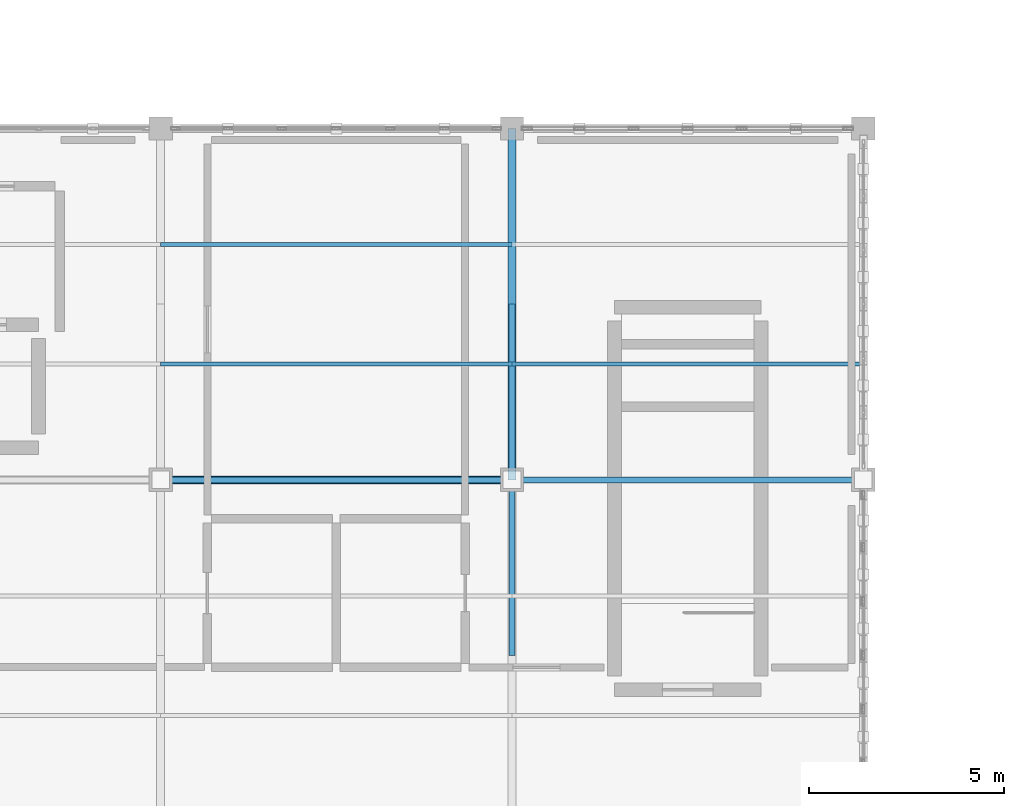
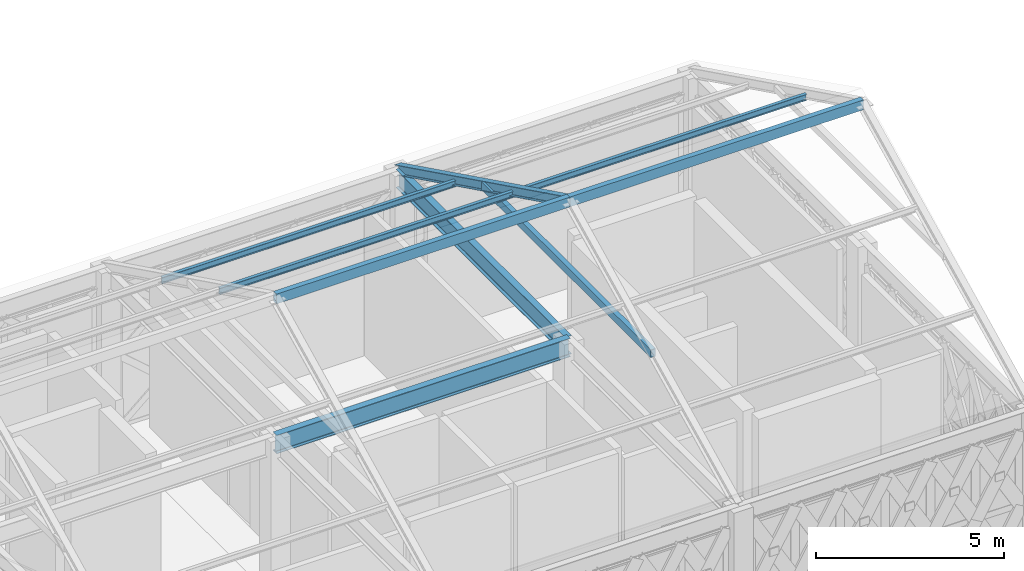
# One storey, part 16 of 32: 7 members, 2 beams.
"""IFC4 building model written with IfcOpenShell, lengths in metres."""

from ifc_helpers import new_model, si_unit, direction, frame, origin, origin_2d, place, context, subcontext, project, spatial, hollow_rectangle, i_section, extrude, material, material_profile, profile_set, type_object, element, save


model = new_model("IFC4")

# Units and contexts
model_context = context("Model", 3, precision=1e-05, world=origin(), true_north=direction((0.0, 1.0)))
body_context = subcontext(model_context, "Body", "Model", "MODEL_VIEW")
ifc_project = project(units=[si_unit("LENGTHUNIT", "METRE"), si_unit("AREAUNIT", "SQUARE_METRE"), si_unit("VOLUMEUNIT", "CUBIC_METRE"), si_unit("PLANEANGLEUNIT", "RADIAN"), si_unit("MASSUNIT", "GRAM", prefix="KILO")], contexts=[model_context])

# Site, building, storey
site_placement = place(None, origin())
site = spatial("IfcSite", under=ifc_project, at=site_placement, CompositionType="ELEMENT")
building_placement = place(site_placement, origin())
building = spatial("IfcBuilding", under=site, at=building_placement, Name="Haizhuo Lancet Aquarium", CompositionType="ELEMENT")
storey_placement = place(building_placement, frame((0.0, 0.0, 27.0)))
storey = spatial("IfcBuildingStorey", under=building, at=storey_placement, Name="L05", CompositionType="ELEMENT", Elevation=27.0)

# Beams
ifc_material = material(Name="Steel S355", Category="steel")
ifc_material_profile_1 = material_profile(ifc_material, i_section(OverallWidth=0.199951171875, OverallDepth=0.60009765625, WebThickness=0.010986328125, FlangeThickness=0.01708984375, FilletRadius=0.02197265625, at=origin_2d()), Name="HN 600x200x11x17")
ifc_profile_set_1 = profile_set([ifc_material_profile_1], Name="Steel S355")
beam_type = type_object("IfcBeamType", Name="BM-ST-HN600", PredefinedType="BEAM", material=ifc_profile_set_1)
for number, where, z_axis, x_axis, name in (
    (1, (-54.0, -18.0, 5.10009765625), (1.0, 0.0, 0.0), (0.0, 1.0, 0.0), "L05 V6 primary girder BM-L05-V6-017"),
    (2, (-45.0, -18.0, 5.10009765625), (0.0, 1.0, 0.0), (-1.0, 0.0, 0.0), "L05 V6 primary girder BM-L05-V6-021"),
):
    element("IfcBeam", number, at=place(storey_placement, frame(where, z_axis=z_axis, x_axis=x_axis)), inside=storey, type_object=beam_type, Name=name, PredefinedType="BEAM", context=body_context, shape_type="SweptSolid", body=[
        extrude(i_section(OverallWidth=0.199951171875, OverallDepth=0.60009765625, WebThickness=0.010986328125, FlangeThickness=0.01708984375, FilletRadius=0.02197265625, at=origin_2d()), origin(), (0.0, 0.0, 1.0), 9.0),
    ])

# Members
ifc_material_profile_2 = material_profile(ifc_material, hollow_rectangle(XDim=0.159912109375, YDim=0.320068359375, WallThickness=0.010009765625, at=origin_2d()), Name="RHS 160x320x10")
ifc_profile_set_2 = profile_set([ifc_material_profile_2], Name="Steel S355")
member_type_1 = type_object("IfcMemberType", Name="MEM-CH-RHS160x320", PredefinedType="CHORD", material=ifc_profile_set_2)
for number, where, z_axis, x_axis, name in (
    (3, (-54.0, -18.0, 9.804931640625), (1.0, 0.0, 0.0), (0.0, 1.0, 0.0), "V6 roof ridge chord 3"),
    (4, (-45.0, -18.0, 9.804931640625), (1.0, 0.0, 0.0), (0.0, 1.0, 0.0), "V6 roof ridge chord 4"),
):
    element("IfcMember", number, at=place(storey_placement, frame(where, z_axis=z_axis, x_axis=x_axis)), inside=storey, type_object=member_type_1, Name=name, PredefinedType="CHORD", context=body_context, shape_type="SweptSolid", body=[
        extrude(hollow_rectangle(XDim=0.159912109375, YDim=0.320068359375, WallThickness=0.010009765625, at=origin_2d()), origin(), (0.0, 0.0, 1.0), 9.0),
    ])
ifc_material_profile_3 = material_profile(ifc_material, hollow_rectangle(XDim=0.14990234375, YDim=0.25, WallThickness=0.010009765625, at=origin_2d()), Name="RHS 150x250x10")
ifc_profile_set_3 = profile_set([ifc_material_profile_3], Name="Steel S355")
member_type_2 = type_object("IfcMemberType", Name="MEM-CL-RHS150x250", PredefinedType="COLLAR", material=ifc_profile_set_3)
member_1_placement = place(storey_placement, frame((-45.0, -22.5, 7.5869140625), z_axis=(0.0, 1.0, 0.0), x_axis=(-1.0, 0.0, 0.0)))
element("IfcMember", 5, at=member_1_placement, inside=storey, type_object=member_type_2, Name="V6 Gothic roof collar tie 4", PredefinedType="COLLAR", context=body_context, shape_type="SweptSolid", body=[
    extrude(hollow_rectangle(XDim=0.14990234375, YDim=0.25, WallThickness=0.010009765625, at=origin_2d()), origin(), (0.0, 0.0, 1.0), 9.0),
])
ifc_material_profile_4 = material_profile(ifc_material, i_section(OverallWidth=0.10009765625, OverallDepth=0.199951171875, WebThickness=0.005615234375, FlangeThickness=0.008056640625, FilletRadius=0.008056640625, at=origin_2d()), Name="HN 200x100x5.5x8")
ifc_profile_set_4 = profile_set([ifc_material_profile_4], Name="Steel S355")
member_type_3 = type_object("IfcMemberType", Name="MEM-PR-HN200", PredefinedType="PURLIN", material=ifc_profile_set_4)
for number, where, z_axis, x_axis, name in (
    (6, (-54.0, -11.969970703125, 6.72412109375), (1.0, 0.0, 0.0), (0.0, 1.0, 0.0), "V6 north roof purlin 3"),
    (7, (-54.0, -15.030029296875, 8.23095703125), (1.0, 0.0, 0.0), (0.0, 1.0, 0.0), "V6 north roof purlin 3"),
    (8, (-45.0, -15.030029296875, 8.23095703125), (1.0, 0.0, 0.0), (0.0, 1.0, 0.0), "V6 north roof purlin 4"),
):
    element("IfcMember", number, at=place(storey_placement, frame(where, z_axis=z_axis, x_axis=x_axis)), inside=storey, type_object=member_type_3, Name=name, PredefinedType="PURLIN", context=body_context, shape_type="SweptSolid", body=[
        extrude(i_section(OverallWidth=0.10009765625, OverallDepth=0.199951171875, WebThickness=0.005615234375, FlangeThickness=0.008056640625, FilletRadius=0.008056640625, at=origin_2d()), origin(), (0.0, 0.0, 1.0), 9.0),
    ])
ifc_material_profile_5 = material_profile(ifc_material, i_section(OverallWidth=0.199951171875, OverallDepth=0.2939453125, WebThickness=0.008056640625, FlangeThickness=0.011962890625, FilletRadius=0.01611328125, at=origin_2d()), Name="HM 294x200x8x12")
ifc_profile_set_5 = profile_set([ifc_material_profile_5], Name="Steel S355")
member_type_4 = type_object("IfcMemberType", Name="MEM-RF-HM294", PredefinedType="RAFTER", material=ifc_profile_set_5)
member_2_placement = place(storey_placement, frame((-45.0, -9.0, 5.3701171875), z_axis=(0.0, -0.897010851352, 0.44200852091), x_axis=(1.0, 0.0, 0.0)))
element("IfcMember", 9, at=member_2_placement, inside=storey, type_object=member_type_4, Name="V6 Gothic pitched roof north rafter 4", PredefinedType="RAFTER", context=body_context, shape_type="SweptSolid", body=[
    extrude(i_section(OverallWidth=0.199951171875, OverallDepth=0.2939453125, WebThickness=0.008056640625, FlangeThickness=0.011962890625, FilletRadius=0.01611328125, at=origin_2d()), origin(), (0.0, 0.0, 1.0), 10.033203125),
])

save(model, "model.ifc")
